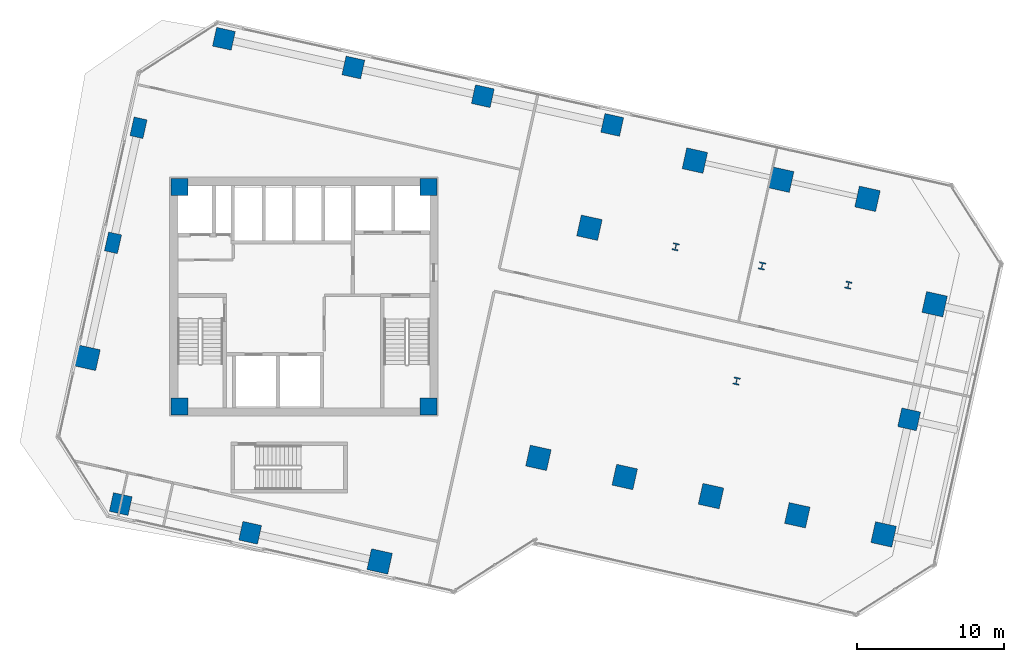
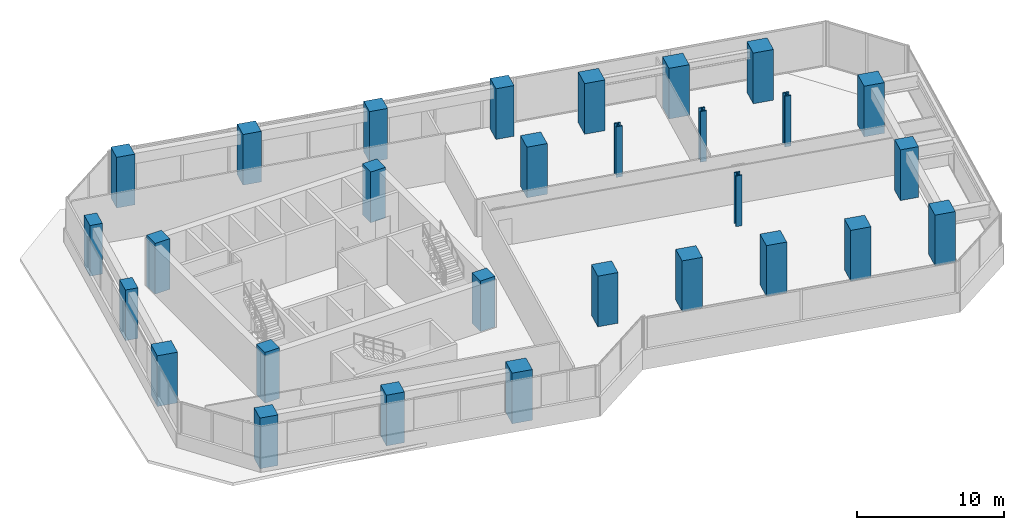
# One storey, part 1 of 25: 29 columns.
"""IFC4 building model written with IfcOpenShell, lengths in metres."""

from ifc_helpers import new_model, si_unit, direction, frame, origin, origin_2d, place, context, subcontext, project, spatial, rectangle, i_section, extrude, source, transform, mapped, material, material_profile, profile_set, type_object, element, save


model = new_model("IFC4")

# Units and contexts
model_context = context("Model", 3, precision=1e-05, world=origin(), true_north=direction((0.0, 1.0)))
body_context = subcontext(model_context, "Body", "Model", "MODEL_VIEW")
ifc_project = project(units=[si_unit("LENGTHUNIT", "METRE"), si_unit("AREAUNIT", "SQUARE_METRE"), si_unit("VOLUMEUNIT", "CUBIC_METRE"), si_unit("PLANEANGLEUNIT", "RADIAN"), si_unit("MASSUNIT", "GRAM", prefix="KILO")], contexts=[model_context])

# Site, building, storey
site_placement = place(None, origin())
site = spatial("IfcSite", under=ifc_project, at=site_placement, CompositionType="ELEMENT")
building_placement = place(site_placement, origin())
building = spatial("IfcBuilding", under=site, at=building_placement, Name="Torre Montelarca", CompositionType="ELEMENT")
storey_placement = place(building_placement, frame((0.0, 0.0, 87.39990234375)))
storey = spatial("IfcBuildingStorey", under=building, at=storey_placement, Name="L19", CompositionType="ELEMENT", Elevation=87.39990234375)

# Columns
ifc_material_1 = material(Name="Concrete C55/67", Category="concrete")
ifc_material_profile_1 = material_profile(ifc_material_1, rectangle(XDim=1.14990234375, YDim=1.14990234375, at=origin_2d()), Name="RC1150X1150", Category="concrete")
ifc_profile_set_1 = profile_set([ifc_material_profile_1], Name="Concrete C55/67")
column_type_1 = type_object("IfcColumnType", Name="COL-RC1150", PredefinedType="COLUMN", material=ifc_profile_set_1)
shared_shape_1 = source(origin(), body_context, "Body", "SweptSolid", [
    extrude(rectangle(XDim=1.14990234375, YDim=1.14990234375, at=origin_2d()), origin(), (0.0, 0.0, 1.0), 4.19873046875),
])
for number, where, z_axis, x_axis, name in (
    (1, (9.550048828125, 24.550048828125, 0.000732421875), (0.0, 0.0, 1.0), (1.0, 0.0, 0.0), "L19 Plumb Core Corner Column 2D"),
    (2, (26.449951171875, 24.550048828125, 0.000732421875), (0.0, 0.0, 1.0), (1.0, 0.0, 0.0), "L19 Plumb Core Corner Column 4D"),
    (3, (9.550048828125, 39.449951171875, 0.000732421875), (0.0, 0.0, 1.0), (1.0, 0.0, 0.0), "L19 Plumb Core Corner Column 2F"),
    (4, (26.449951171875, 39.449951171875, 0.000732421875), (0.0, 0.0, 1.0), (1.0, 0.0, 0.0), "L19 Plumb Core Corner Column 4F"),
):
    element("IfcColumn", number, at=place(storey_placement, frame(where, z_axis=z_axis, x_axis=x_axis)), inside=storey, type_object=column_type_1, Name=name, PredefinedType="COLUMN", context=body_context, shape_type="MappedRepresentation", body=[
        mapped(shared_shape_1, transform((0.0, 0.0, 0.0), scale=1.0)),
    ])
ifc_material_2 = material(Name="Concrete C70/85", Category="concrete")
ifc_material_profile_2 = material_profile(ifc_material_2, rectangle(XDim=1.300048828125, YDim=1.300048828125, at=origin_2d()), Name="RC1300X1300", Category="concrete")
ifc_profile_set_2 = profile_set([ifc_material_profile_2], Name="Concrete C70/85")
column_type_2 = type_object("IfcColumnType", Name="COL-RC1300-EXT", PredefinedType="COLUMN", material=ifc_profile_set_2)
shared_shape_2 = source(origin(), body_context, "Body", "SweptSolid", [
    extrude(rectangle(XDim=1.300048828125, YDim=1.300048828125, at=origin_2d()), origin(), (0.0, 0.0, 1.0), 4.19873046875),
])
for number, where, z_axis, x_axis, name in (
    (5, (5.573486328125, 17.9130859375, 0.000732421875), (0.0, 0.0, 1.0), (-0.97629600712, 0.216439613938, 0.0), "L19 Column 2/CS"),
    (6, (12.575439453125, 49.496337890625, 0.000732421875), (0.0, 0.0, 1.0), (-0.97629600712, 0.216439613938, 0.0), "L19 Column 2/GN"),
    (7, (14.360107421875, 15.965087890625, 0.000732421875), (0.0, 0.0, 1.0), (-0.97629600712, 0.216439613938, 0.0), "L19 Column 3/CS"),
    (8, (21.362060546875, 47.54833984375, 0.000732421875), (0.0, 0.0, 1.0), (-0.97629600712, 0.216439613938, 0.0), "L19 Column 3/GN"),
    (9, (30.148681640625, 45.6005859375, 0.000732421875), (0.0, 0.0, 1.0), (-0.97629600712, 0.216439613938, 0.0), "L19 Column 4/GN"),
    (10, (38.935302734375, 43.652587890625, 0.000732421875), (0.0, 0.0, 1.0), (-0.97629600712, 0.216439613938, 0.0), "L19 Column 5/GN"),
    (11, (59.08740234375, 23.6669921875, 0.000732421875), (0.0, 0.0, 1.0), (-0.97629600712, 0.216439613938, 0.0), "L19 Column 9/E"),
):
    element("IfcColumn", number, at=place(storey_placement, frame(where, z_axis=z_axis, x_axis=x_axis)), inside=storey, type_object=column_type_2, Name=name, PredefinedType="COLUMN", context=body_context, shape_type="MappedRepresentation", body=[
        mapped(shared_shape_2, transform((0.0, 0.0, 0.0), scale=1.0)),
    ])
ifc_material_profile_3 = material_profile(ifc_material_2, rectangle(XDim=1.449951171875, YDim=1.449951171875, at=origin_2d()), Name="RC1450X1450", Category="concrete")
ifc_profile_set_3 = profile_set([ifc_material_profile_3], Name="Concrete C70/85")
column_type_3 = type_object("IfcColumnType", Name="COL-RC1450-EXT", PredefinedType="COLUMN", material=ifc_profile_set_3)
shared_shape_3 = source(origin(), body_context, "Body", "SweptSolid", [
    extrude(rectangle(XDim=1.449951171875, YDim=1.449951171875, at=origin_2d()), origin(), (0.0, 0.0, 1.0), 4.19873046875),
])
for number, where, z_axis, x_axis, name in (
    (12, (23.14697265625, 14.017333984375, 0.000732421875), (0.0, 0.0, 1.0), (-0.97629600712, 0.216439613938, 0.0), "L19 Perimeter Mega Column 4/CS"),
    (13, (57.35595703125, 15.856689453125, 0.000732421875), (0.0, 0.0, 1.0), (-0.97629600712, 0.216439613938, 0.0), "L19 Perimeter Mega Column 9/D"),
    (14, (60.81884765625, 31.477294921875, 0.000732421875), (0.0, 0.0, 1.0), (-0.97629600712, 0.216439613938, 0.0), "L19 Perimeter Mega Column 9/F"),
    (15, (3.31787109375, 27.836669921875, 0.000732421875), (0.0, 0.0, 1.0), (-0.97629600712, 0.216439613938, 0.0), "L19 Perimeter Mega Column 1W/D"),
):
    element("IfcColumn", number, at=place(storey_placement, frame(where, z_axis=z_axis, x_axis=x_axis)), inside=storey, type_object=column_type_3, Name=name, PredefinedType="COLUMN", context=body_context, shape_type="MappedRepresentation", body=[
        mapped(shared_shape_3, transform((0.0, 0.0, 0.0), scale=1.0)),
    ])
ifc_material_profile_4 = material_profile(ifc_material_2, rectangle(XDim=1.449951171875, YDim=1.449951171875, at=origin_2d()), Name="RC1450X1450", Category="concrete")
ifc_profile_set_4 = profile_set([ifc_material_profile_4], Name="Concrete C70/85")
column_type_4 = type_object("IfcColumnType", Name="COL-RC1450", PredefinedType="COLUMN", material=ifc_profile_set_4)
shared_shape_4 = source(origin(), body_context, "Body", "SweptSolid", [
    extrude(rectangle(XDim=1.449951171875, YDim=1.449951171875, at=origin_2d()), origin(), (0.0, 0.0, 1.0), 4.19873046875),
])
for number, where, z_axis, x_axis, name in (
    (16, (33.9248046875, 21.05126953125, 0.000732421875), (0.0, 0.0, 1.0), (-0.97629600712, 0.216439613938, 0.0), "L19 Column 5/D"),
    (17, (37.3876953125, 36.672119140625, 0.000732421875), (0.0, 0.0, 1.0), (-0.97629600712, 0.216439613938, 0.0), "L19 Column 5/F"),
    (18, (39.78271484375, 19.752685546875, 0.000732421875), (0.0, 0.0, 1.0), (-0.97629600712, 0.216439613938, 0.0), "L19 Column 6/D"),
    (19, (44.544189453125, 41.231201171875, 0.000732421875), (0.0, 0.0, 1.0), (-0.97629600712, 0.216439613938, 0.0), "L19 Column 6/G"),
    (20, (45.640380859375, 18.4541015625, 0.000732421875), (0.0, 0.0, 1.0), (-0.97629600712, 0.216439613938, 0.0), "L19 Column 7/D"),
    (21, (50.402099609375, 39.9326171875, 0.000732421875), (0.0, 0.0, 1.0), (-0.97629600712, 0.216439613938, 0.0), "L19 Column 7/G"),
    (22, (51.498046875, 17.1552734375, 0.000732421875), (0.0, 0.0, 1.0), (-0.97629600712, 0.216439613938, 0.0), "L19 Column 8/D"),
    (23, (56.259765625, 38.6337890625, 0.000732421875), (0.0, 0.0, 1.0), (-0.97629600712, 0.216439613938, 0.0), "L19 Column 8/G"),
):
    element("IfcColumn", number, at=place(storey_placement, frame(where, z_axis=z_axis, x_axis=x_axis)), inside=storey, type_object=column_type_4, Name=name, PredefinedType="COLUMN", context=body_context, shape_type="MappedRepresentation", body=[
        mapped(shared_shape_4, transform((0.0, 0.0, 0.0), scale=1.0)),
    ])
ifc_material_3 = material(Name="Steel ASTM A992 Grade 50", Category="steel")
ifc_material_profile_5 = material_profile(ifc_material_3, i_section(OverallWidth=0.431884765625, OverallDepth=0.498046875, WebThickness=0.0556640625, FlangeThickness=0.0888671875, FilletRadius=0.014892578125, at=origin_2d()), Name="W360X744", Category="steel")
ifc_profile_set_5 = profile_set([ifc_material_profile_5], Name="Steel ASTM A992 Grade 50")
column_type_5 = type_object("IfcColumnType", Name="COL-W360X744", PredefinedType="COLUMN", material=ifc_profile_set_5)
shared_shape_5 = source(origin(), body_context, "Body", "SweptSolid", [
    extrude(i_section(OverallWidth=0.431884765625, OverallDepth=0.498046875, WebThickness=0.0556640625, FlangeThickness=0.0888671875, FilletRadius=0.014892578125, at=origin_2d()), origin(), (0.0, 0.0, 1.0), 4.19873046875),
])
for number, where, z_axis, x_axis, name in (
    (24, (43.24560546875, 35.373291015625, 0.000732421875), (0.0, 0.0, 1.0), (-0.97629600712, 0.216439613938, 0.0), "L19 Column 6/F"),
    (25, (47.371826171875, 26.264404296875, 0.000732421875), (0.0, 0.0, 1.0), (-0.97629600712, 0.216439613938, 0.0), "L19 Column 7/E"),
    (26, (49.103515625, 34.07470703125, 0.000732421875), (0.0, 0.0, 1.0), (-0.97629600712, 0.216439613938, 0.0), "L19 Column 7/F"),
    (27, (54.961181640625, 32.776123046875, 0.000732421875), (0.0, 0.0, 1.0), (-0.97629600712, 0.216439613938, 0.0), "L19 Column 8/F"),
):
    element("IfcColumn", number, at=place(storey_placement, frame(where, z_axis=z_axis, x_axis=x_axis)), inside=storey, type_object=column_type_5, Name=name, PredefinedType="COLUMN", context=body_context, shape_type="MappedRepresentation", body=[
        mapped(shared_shape_5, transform((0.0, 0.0, 0.0), scale=1.0)),
    ])
ifc_material_profile_6 = material_profile(ifc_material_1, rectangle(XDim=0.89990234375, YDim=1.300048828125, at=origin_2d()), Name="RC1300X900", Category="concrete")
ifc_profile_set_6 = profile_set([ifc_material_profile_6], Name="Concrete C55/67")
column_type_6 = type_object("IfcColumnType", Name="COL-PIL1300-EXT", PredefinedType="PILASTER", material=ifc_profile_set_6)
shared_shape_6 = source(origin(), body_context, "Body", "SweptSolid", [
    extrude(rectangle(XDim=0.89990234375, YDim=1.300048828125, at=origin_2d()), origin(), (0.0, 0.0, 1.0), 4.19873046875),
])
for number, where, z_axis, x_axis, name in (
    (28, (5.04931640625, 35.64697265625, 0.000732421875), (0.0, 0.0, 1.0), (-0.97629600712, 0.216439613938, 0.0), "L19 Column 1W/E"),
    (29, (6.781005859375, 43.45751953125, 0.000732421875), (0.0, 0.0, 1.0), (-0.97629600712, 0.216439613938, 0.0), "L19 Column 1W/F"),
):
    element("IfcColumn", number, at=place(storey_placement, frame(where, z_axis=z_axis, x_axis=x_axis)), inside=storey, type_object=column_type_6, Name=name, PredefinedType="PILASTER", context=body_context, shape_type="MappedRepresentation", body=[
        mapped(shared_shape_6, transform((0.0, 0.0, 0.0), scale=1.0)),
    ])

save(model, "model.ifc")
